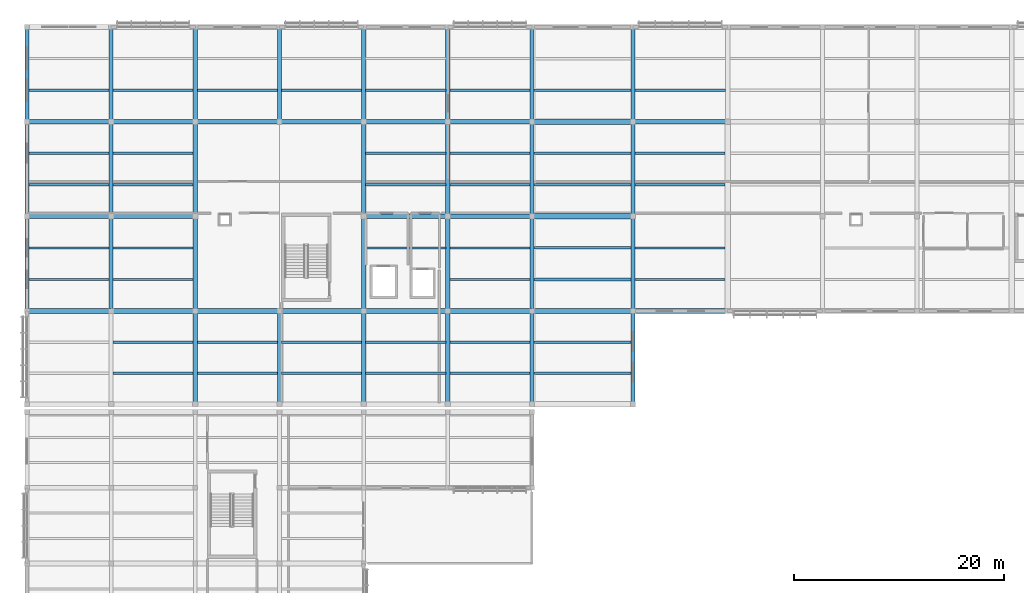
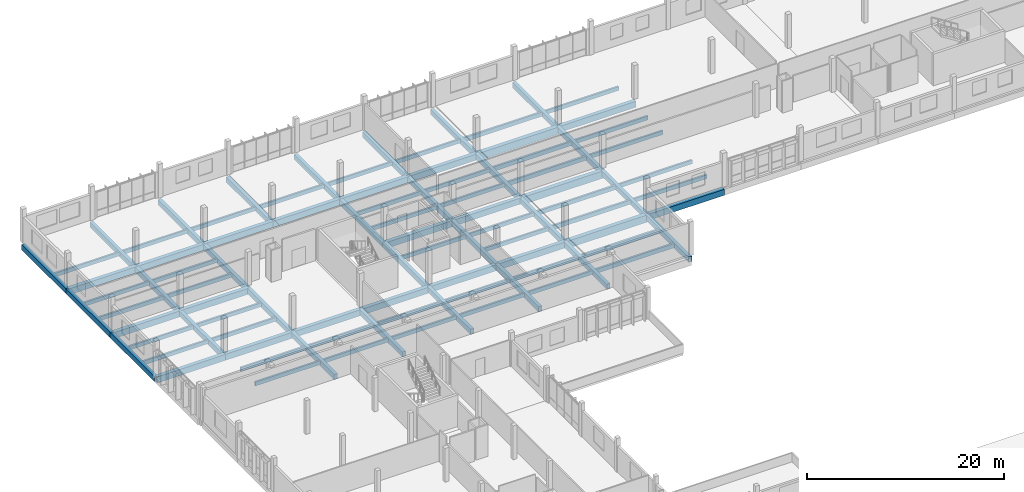
# One storey, part 79 of 182: 92 beams.
"""IFC4 building model written with IfcOpenShell, lengths in metres."""

from ifc_helpers import new_model, si_unit, direction, frame, origin, origin_2d, place, context, subcontext, project, spatial, rectangle, extrude, material, material_profile, profile_set, type_object, element, save


model = new_model("IFC4")

# Units and contexts
model_context = context("Model", 3, precision=1e-05, world=origin(), true_north=direction((0.0, 1.0)))
body_context = subcontext(model_context, "Body", "Model", "MODEL_VIEW")
ifc_project = project(units=[si_unit("LENGTHUNIT", "METRE"), si_unit("AREAUNIT", "SQUARE_METRE"), si_unit("VOLUMEUNIT", "CUBIC_METRE"), si_unit("PLANEANGLEUNIT", "RADIAN"), si_unit("MASSUNIT", "GRAM", prefix="KILO")], contexts=[model_context])

# Site, building, storey
site_placement = place(None, origin())
site = spatial("IfcSite", under=ifc_project, at=site_placement, CompositionType="ELEMENT")
building_placement = place(site_placement, origin())
building = spatial("IfcBuilding", under=site, at=building_placement, Name="Chiffa Square Polytechnic", CompositionType="ELEMENT")
storey_placement = place(building_placement, frame((0.0, 0.0, 9.60009765625)))
storey = spatial("IfcBuildingStorey", under=building, at=storey_placement, Name="L02", CompositionType="ELEMENT", Elevation=9.60009765625)

# Beams
ifc_material_1 = material(Name="Concrete C35/45", Category="concrete")
ifc_material_profile_1 = material_profile(ifc_material_1, rectangle(XDim=0.39990234375, YDim=0.64990234375, at=origin_2d()), Name="RC 400x650")
ifc_profile_set_1 = profile_set([ifc_material_profile_1], Name="Concrete C35/45")
beam_type_1 = type_object("IfcBeamType", Name="BM-RC-400X650", PredefinedType="BEAM", material=ifc_profile_set_1)
for number, where, z_axis, x_axis, name in (
    (1, (0.0, 103.800048828125, -0.64501953125), (0.0, 1.0, 0.0), (-1.0, 0.0, 0.0), "Primary floor girder BM-V5-L02-Y-0000-1038"),
    (2, (0.0, 112.800048828125, -0.64501953125), (0.0, 1.0, 0.0), (-1.0, 0.0, 0.0), "Primary floor girder BM-V5-L02-Y-0000-1128"),
    (3, (0.0, 121.800048828125, -0.64501953125), (0.0, 1.0, 0.0), (-1.0, 0.0, 0.0), "Primary floor girder BM-V5-L02-Y-0000-1218"),
    (4, (8.0, 103.800048828125, -0.64501953125), (0.0, 1.0, 0.0), (-1.0, 0.0, 0.0), "Primary floor girder BM-V5-L02-Y-0080-1038"),
    (5, (8.0, 112.800048828125, -0.64501953125), (0.0, 1.0, 0.0), (-1.0, 0.0, 0.0), "Primary floor girder BM-V5-L02-Y-0080-1128"),
    (6, (8.0, 121.800048828125, -0.64501953125), (0.0, 1.0, 0.0), (-1.0, 0.0, 0.0), "Primary floor girder BM-V5-L02-Y-0080-1218"),
):
    element("IfcBeam", number, at=place(storey_placement, frame(where, z_axis=z_axis, x_axis=x_axis)), inside=storey, type_object=beam_type_1, Name=name, PredefinedType="BEAM", context=body_context, shape_type="SweptSolid", body=[
        extrude(rectangle(XDim=0.39990234375, YDim=0.64990234375, at=origin_2d()), origin(), (0.0, 0.0, 1.0), 9.0),
    ])
beam_1_placement = place(storey_placement, frame((16.0, 94.949951171875, -0.64501953125), z_axis=(0.0, 1.0, 0.0), x_axis=(-1.0, 0.0, 0.0)))
element("IfcBeam", 7, at=beam_1_placement, inside=storey, type_object=beam_type_1, Name="Primary floor girder BM-V5-L02-Y-0160-0950", PredefinedType="BEAM", context=body_context, shape_type="SweptSolid", body=[
    extrude(rectangle(XDim=0.39990234375, YDim=0.64990234375, at=origin_2d()), origin(), (0.0, 0.0, 1.0), 8.85009765625),
])
for number, where, z_axis, x_axis, name in (
    (8, (16.0, 103.800048828125, -0.64501953125), (0.0, 1.0, 0.0), (-1.0, 0.0, 0.0), "Primary floor girder BM-V5-L02-Y-0160-1038"),
    (9, (16.0, 112.800048828125, -0.64501953125), (0.0, 1.0, 0.0), (-1.0, 0.0, 0.0), "Primary floor girder BM-V5-L02-Y-0160-1128"),
    (10, (16.0, 121.800048828125, -0.64501953125), (0.0, 1.0, 0.0), (-1.0, 0.0, 0.0), "Primary floor girder BM-V5-L02-Y-0160-1218"),
):
    element("IfcBeam", number, at=place(storey_placement, frame(where, z_axis=z_axis, x_axis=x_axis)), inside=storey, type_object=beam_type_1, Name=name, PredefinedType="BEAM", context=body_context, shape_type="SweptSolid", body=[
        extrude(rectangle(XDim=0.39990234375, YDim=0.64990234375, at=origin_2d()), origin(), (0.0, 0.0, 1.0), 9.0),
    ])
beam_2_placement = place(storey_placement, frame((24.0, 94.949951171875, -0.64501953125), z_axis=(0.0, 1.0, 0.0), x_axis=(-1.0, 0.0, 0.0)))
element("IfcBeam", 11, at=beam_2_placement, inside=storey, type_object=beam_type_1, Name="Primary floor girder BM-V5-L02-Y-0240-0950", PredefinedType="BEAM", context=body_context, shape_type="SweptSolid", body=[
    extrude(rectangle(XDim=0.39990234375, YDim=0.64990234375, at=origin_2d()), origin(), (0.0, 0.0, 1.0), 8.85009765625),
])
beam_3_placement = place(storey_placement, frame((24.0, 121.800048828125, -0.64501953125), z_axis=(0.0, 1.0, 0.0), x_axis=(-1.0, 0.0, 0.0)))
element("IfcBeam", 12, at=beam_3_placement, inside=storey, type_object=beam_type_1, Name="Primary floor girder BM-V5-L02-Y-0240-1218", PredefinedType="BEAM", context=body_context, shape_type="SweptSolid", body=[
    extrude(rectangle(XDim=0.39990234375, YDim=0.64990234375, at=origin_2d()), origin(), (0.0, 0.0, 1.0), 9.0),
])
beam_4_placement = place(storey_placement, frame((32.0, 94.949951171875, -0.64501953125), z_axis=(0.0, 1.0, 0.0), x_axis=(-1.0, 0.0, 0.0)))
element("IfcBeam", 13, at=beam_4_placement, inside=storey, type_object=beam_type_1, Name="Primary floor girder BM-V5-L02-Y-0320-0950", PredefinedType="BEAM", context=body_context, shape_type="SweptSolid", body=[
    extrude(rectangle(XDim=0.39990234375, YDim=0.64990234375, at=origin_2d()), origin(), (0.0, 0.0, 1.0), 8.85009765625),
])
for number, where, z_axis, x_axis, name in (
    (14, (32.0, 103.800048828125, -0.64501953125), (0.0, 1.0, 0.0), (-1.0, 0.0, 0.0), "Primary floor girder BM-V5-L02-Y-0320-1038"),
    (15, (32.0, 112.800048828125, -0.64501953125), (0.0, 1.0, 0.0), (-1.0, 0.0, 0.0), "Primary floor girder BM-V5-L02-Y-0320-1128"),
    (16, (32.0, 121.800048828125, -0.64501953125), (0.0, 1.0, 0.0), (-1.0, 0.0, 0.0), "Primary floor girder BM-V5-L02-Y-0320-1218"),
):
    element("IfcBeam", number, at=place(storey_placement, frame(where, z_axis=z_axis, x_axis=x_axis)), inside=storey, type_object=beam_type_1, Name=name, PredefinedType="BEAM", context=body_context, shape_type="SweptSolid", body=[
        extrude(rectangle(XDim=0.39990234375, YDim=0.64990234375, at=origin_2d()), origin(), (0.0, 0.0, 1.0), 9.0),
    ])
beam_5_placement = place(storey_placement, frame((40.0, 94.949951171875, -0.64501953125), z_axis=(0.0, 1.0, 0.0), x_axis=(-1.0, 0.0, 0.0)))
element("IfcBeam", 17, at=beam_5_placement, inside=storey, type_object=beam_type_1, Name="Primary floor girder BM-V5-L02-Y-0400-0950", PredefinedType="BEAM", context=body_context, shape_type="SweptSolid", body=[
    extrude(rectangle(XDim=0.39990234375, YDim=0.64990234375, at=origin_2d()), origin(), (0.0, 0.0, 1.0), 8.85009765625),
])
for number, where, z_axis, x_axis, name in (
    (18, (40.0, 103.800048828125, -0.64501953125), (0.0, 1.0, 0.0), (-1.0, 0.0, 0.0), "Primary floor girder BM-V5-L02-Y-0400-1038"),
    (19, (40.0, 112.800048828125, -0.64501953125), (0.0, 1.0, 0.0), (-1.0, 0.0, 0.0), "Primary floor girder BM-V5-L02-Y-0400-1128"),
    (20, (40.0, 121.800048828125, -0.64501953125), (0.0, 1.0, 0.0), (-1.0, 0.0, 0.0), "Primary floor girder BM-V5-L02-Y-0400-1218"),
):
    element("IfcBeam", number, at=place(storey_placement, frame(where, z_axis=z_axis, x_axis=x_axis)), inside=storey, type_object=beam_type_1, Name=name, PredefinedType="BEAM", context=body_context, shape_type="SweptSolid", body=[
        extrude(rectangle(XDim=0.39990234375, YDim=0.64990234375, at=origin_2d()), origin(), (0.0, 0.0, 1.0), 9.0),
    ])
beam_6_placement = place(storey_placement, frame((48.0, 94.949951171875, -0.64501953125), z_axis=(0.0, 1.0, 0.0), x_axis=(-1.0, 0.0, 0.0)))
element("IfcBeam", 21, at=beam_6_placement, inside=storey, type_object=beam_type_1, Name="Primary floor girder BM-V5-L02-Y-0480-0950", PredefinedType="BEAM", context=body_context, shape_type="SweptSolid", body=[
    extrude(rectangle(XDim=0.39990234375, YDim=0.64990234375, at=origin_2d()), origin(), (0.0, 0.0, 1.0), 8.85009765625),
])
for number, where, z_axis, x_axis, name in (
    (22, (48.0, 103.800048828125, -0.64501953125), (0.0, 1.0, 0.0), (-1.0, 0.0, 0.0), "Primary floor girder BM-V5-L02-Y-0480-1038"),
    (23, (48.0, 112.800048828125, -0.64501953125), (0.0, 1.0, 0.0), (-1.0, 0.0, 0.0), "Primary floor girder BM-V5-L02-Y-0480-1128"),
    (24, (48.0, 121.800048828125, -0.64501953125), (0.0, 1.0, 0.0), (-1.0, 0.0, 0.0), "Primary floor girder BM-V5-L02-Y-0480-1218"),
):
    element("IfcBeam", number, at=place(storey_placement, frame(where, z_axis=z_axis, x_axis=x_axis)), inside=storey, type_object=beam_type_1, Name=name, PredefinedType="BEAM", context=body_context, shape_type="SweptSolid", body=[
        extrude(rectangle(XDim=0.39990234375, YDim=0.64990234375, at=origin_2d()), origin(), (0.0, 0.0, 1.0), 9.0),
    ])
beam_7_placement = place(storey_placement, frame((57.60009765625, 94.949951171875, -0.64501953125), z_axis=(0.0, 1.0, 0.0), x_axis=(-1.0, 0.0, 0.0)))
element("IfcBeam", 25, at=beam_7_placement, inside=storey, type_object=beam_type_1, Name="Primary floor girder BM-V5-L02-Y-0576-0950", PredefinedType="BEAM", context=body_context, shape_type="SweptSolid", body=[
    extrude(rectangle(XDim=0.39990234375, YDim=0.64990234375, at=origin_2d()), origin(), (0.0, 0.0, 1.0), 8.85009765625),
])
for number, where, z_axis, x_axis, name in (
    (26, (57.60009765625, 103.800048828125, -0.64501953125), (0.0, 1.0, 0.0), (-1.0, 0.0, 0.0), "Primary floor girder BM-V5-L02-Y-0576-1038"),
    (27, (57.60009765625, 112.800048828125, -0.64501953125), (0.0, 1.0, 0.0), (-1.0, 0.0, 0.0), "Primary floor girder BM-V5-L02-Y-0576-1128"),
    (28, (57.60009765625, 121.800048828125, -0.64501953125), (0.0, 1.0, 0.0), (-1.0, 0.0, 0.0), "Primary floor girder BM-V5-L02-Y-0576-1218"),
):
    element("IfcBeam", number, at=place(storey_placement, frame(where, z_axis=z_axis, x_axis=x_axis)), inside=storey, type_object=beam_type_1, Name=name, PredefinedType="BEAM", context=body_context, shape_type="SweptSolid", body=[
        extrude(rectangle(XDim=0.39990234375, YDim=0.64990234375, at=origin_2d()), origin(), (0.0, 0.0, 1.0), 9.0),
    ])
ifc_material_profile_2 = material_profile(ifc_material_1, rectangle(XDim=0.449951171875, YDim=0.75, at=origin_2d()), Name="RC 450x750")
ifc_profile_set_2 = profile_set([ifc_material_profile_2], Name="Concrete C35/45")
beam_type_2 = type_object("IfcBeamType", Name="BM-RC-450X750", PredefinedType="BEAM", material=ifc_profile_set_2)
for number, where, z_axis, x_axis, name in (
    (29, (0.0, 103.800048828125, -0.695068359375), (1.0, 0.0, 0.0), (0.0, 1.0, 0.0), "Primary floor girder BM-V5-L02-X-0000-1038"),
    (30, (8.0, 103.800048828125, -0.695068359375), (1.0, 0.0, 0.0), (0.0, 1.0, 0.0), "Primary floor girder BM-V5-L02-X-0080-1038"),
    (31, (16.0, 103.800048828125, -0.695068359375), (1.0, 0.0, 0.0), (0.0, 1.0, 0.0), "Primary floor girder BM-V5-L02-X-0160-1038"),
    (32, (24.0, 103.800048828125, -0.695068359375), (1.0, 0.0, 0.0), (0.0, 1.0, 0.0), "Primary floor girder BM-V5-L02-X-0240-1038"),
    (33, (32.0, 103.800048828125, -0.695068359375), (1.0, 0.0, 0.0), (0.0, 1.0, 0.0), "Primary floor girder BM-V5-L02-X-0320-1038"),
    (34, (40.0, 103.800048828125, -0.695068359375), (1.0, 0.0, 0.0), (0.0, 1.0, 0.0), "Primary floor girder BM-V5-L02-X-0400-1038"),
):
    element("IfcBeam", number, at=place(storey_placement, frame(where, z_axis=z_axis, x_axis=x_axis)), inside=storey, type_object=beam_type_2, Name=name, PredefinedType="BEAM", context=body_context, shape_type="SweptSolid", body=[
        extrude(rectangle(XDim=0.449951171875, YDim=0.75, at=origin_2d()), origin(), (0.0, 0.0, 1.0), 8.0),
    ])
beam_8_placement = place(storey_placement, frame((57.60009765625, 103.800048828125, -0.695068359375), z_axis=(1.0, 0.0, 0.0), x_axis=(0.0, 1.0, 0.0)))
element("IfcBeam", 35, at=beam_8_placement, inside=storey, type_object=beam_type_2, Name="Primary floor girder BM-V5-L02-X-0576-1038", PredefinedType="BEAM", context=body_context, shape_type="SweptSolid", body=[
    extrude(rectangle(XDim=0.449951171875, YDim=0.75, at=origin_2d()), origin(), (0.0, 0.0, 1.0), 9.0),
])
for number, where, z_axis, x_axis, name in (
    (36, (0.0, 112.800048828125, -0.695068359375), (1.0, 0.0, 0.0), (0.0, 1.0, 0.0), "Primary floor girder BM-V5-L02-X-0000-1128"),
    (37, (8.0, 112.800048828125, -0.695068359375), (1.0, 0.0, 0.0), (0.0, 1.0, 0.0), "Primary floor girder BM-V5-L02-X-0080-1128"),
    (38, (32.0, 112.800048828125, -0.695068359375), (1.0, 0.0, 0.0), (0.0, 1.0, 0.0), "Primary floor girder BM-V5-L02-X-0320-1128"),
    (39, (40.0, 112.800048828125, -0.695068359375), (1.0, 0.0, 0.0), (0.0, 1.0, 0.0), "Primary floor girder BM-V5-L02-X-0400-1128"),
    (40, (0.0, 121.800048828125, -0.695068359375), (1.0, 0.0, 0.0), (0.0, 1.0, 0.0), "Primary floor girder BM-V5-L02-X-0000-1218"),
    (41, (8.0, 121.800048828125, -0.695068359375), (1.0, 0.0, 0.0), (0.0, 1.0, 0.0), "Primary floor girder BM-V5-L02-X-0080-1218"),
    (42, (16.0, 121.800048828125, -0.695068359375), (1.0, 0.0, 0.0), (0.0, 1.0, 0.0), "Primary floor girder BM-V5-L02-X-0160-1218"),
    (43, (24.0, 121.800048828125, -0.695068359375), (1.0, 0.0, 0.0), (0.0, 1.0, 0.0), "Primary floor girder BM-V5-L02-X-0240-1218"),
    (44, (32.0, 121.800048828125, -0.695068359375), (1.0, 0.0, 0.0), (0.0, 1.0, 0.0), "Primary floor girder BM-V5-L02-X-0320-1218"),
    (45, (40.0, 121.800048828125, -0.695068359375), (1.0, 0.0, 0.0), (0.0, 1.0, 0.0), "Primary floor girder BM-V5-L02-X-0400-1218"),
):
    element("IfcBeam", number, at=place(storey_placement, frame(where, z_axis=z_axis, x_axis=x_axis)), inside=storey, type_object=beam_type_2, Name=name, PredefinedType="BEAM", context=body_context, shape_type="SweptSolid", body=[
        extrude(rectangle(XDim=0.449951171875, YDim=0.75, at=origin_2d()), origin(), (0.0, 0.0, 1.0), 8.0),
    ])
beam_9_placement = place(storey_placement, frame((57.60009765625, 121.800048828125, -0.695068359375), z_axis=(1.0, 0.0, 0.0), x_axis=(0.0, 1.0, 0.0)))
element("IfcBeam", 46, at=beam_9_placement, inside=storey, type_object=beam_type_2, Name="Primary floor girder BM-V5-L02-X-0576-1218", PredefinedType="BEAM", context=body_context, shape_type="SweptSolid", body=[
    extrude(rectangle(XDim=0.449951171875, YDim=0.75, at=origin_2d()), origin(), (0.0, 0.0, 1.0), 9.0),
])
ifc_material_2 = material(Name="Concrete C40/50", Category="concrete")
ifc_material_profile_3 = material_profile(ifc_material_2, rectangle(XDim=0.5, YDim=0.89990234375, at=origin_2d()), Name="RC 500x900")
ifc_profile_set_3 = profile_set([ifc_material_profile_3], Name="Concrete C40/50")
beam_type_3 = type_object("IfcBeamType", Name="BM-RC-500X900", PredefinedType="BEAM", material=ifc_profile_set_3)
for number, where, z_axis, x_axis, name in (
    (47, (48.0, 103.800048828125, -0.77001953125), (1.0, 0.0, 0.0), (0.0, 1.0, 0.0), "Primary floor girder BM-V5-L02-X-0480-1038"),
    (48, (48.0, 112.800048828125, -0.77001953125), (1.0, 0.0, 0.0), (0.0, 1.0, 0.0), "Primary floor girder BM-V5-L02-X-0480-1128"),
    (49, (48.0, 121.800048828125, -0.77001953125), (1.0, 0.0, 0.0), (0.0, 1.0, 0.0), "Primary floor girder BM-V5-L02-X-0480-1218"),
):
    element("IfcBeam", number, at=place(storey_placement, frame(where, z_axis=z_axis, x_axis=x_axis)), inside=storey, type_object=beam_type_3, Name=name, PredefinedType="BEAM", context=body_context, shape_type="SweptSolid", body=[
        extrude(rectangle(XDim=0.5, YDim=0.89990234375, at=origin_2d()), origin(), (0.0, 0.0, 1.0), 9.60009765625),
    ])
ifc_material_3 = material(Name="Glulam GL28h", Category="wood")
ifc_material_profile_4 = material_profile(ifc_material_3, rectangle(XDim=0.219970703125, YDim=0.47998046875, at=origin_2d()), Name="GL28h 220x480")
ifc_profile_set_4 = profile_set([ifc_material_profile_4], Name="Glulam GL28h")
beam_type_4 = type_object("IfcBeamType", Name="JST-GL-220X480", PredefinedType="JOIST", material=ifc_profile_set_4)
for number, where, z_axis, x_axis, name in (
    (50, (0.197998046875, 106.800048828125, -0.56005859375), (1.0, 0.0, 0.0), (0.0, 1.0, 0.0), "Secondary floor joist JST-V5-L02-0000-1068"),
    (51, (0.197998046875, 109.800048828125, -0.56005859375), (1.0, 0.0, 0.0), (0.0, 1.0, 0.0), "Secondary floor joist JST-V5-L02-0000-1098"),
    (52, (0.197998046875, 115.800048828125, -0.56005859375), (1.0, 0.0, 0.0), (0.0, 1.0, 0.0), "Secondary floor joist JST-V5-L02-0000-1158"),
    (53, (0.197998046875, 118.800048828125, -0.56005859375), (1.0, 0.0, 0.0), (0.0, 1.0, 0.0), "Secondary floor joist JST-V5-L02-0000-1188"),
    (54, (0.197998046875, 124.800048828125, -0.56005859375), (1.0, 0.0, 0.0), (0.0, 1.0, 0.0), "Secondary floor joist JST-V5-L02-0000-1248"),
    (55, (8.197998046875, 97.89990234375, -0.56005859375), (1.0, 0.0, 0.0), (0.0, 1.0, 0.0), "Secondary floor joist JST-V5-L02-0080-0979"),
    (56, (8.197998046875, 100.85009765625, -0.56005859375), (1.0, 0.0, 0.0), (0.0, 1.0, 0.0), "Secondary floor joist JST-V5-L02-0080-1008"),
    (57, (8.197998046875, 106.800048828125, -0.56005859375), (1.0, 0.0, 0.0), (0.0, 1.0, 0.0), "Secondary floor joist JST-V5-L02-0080-1068"),
    (58, (8.197998046875, 109.800048828125, -0.56005859375), (1.0, 0.0, 0.0), (0.0, 1.0, 0.0), "Secondary floor joist JST-V5-L02-0080-1098"),
    (59, (8.197998046875, 115.800048828125, -0.56005859375), (1.0, 0.0, 0.0), (0.0, 1.0, 0.0), "Secondary floor joist JST-V5-L02-0080-1158"),
    (60, (8.197998046875, 118.800048828125, -0.56005859375), (1.0, 0.0, 0.0), (0.0, 1.0, 0.0), "Secondary floor joist JST-V5-L02-0080-1188"),
    (61, (8.197998046875, 124.800048828125, -0.56005859375), (1.0, 0.0, 0.0), (0.0, 1.0, 0.0), "Secondary floor joist JST-V5-L02-0080-1248"),
    (62, (16.197998046875, 97.89990234375, -0.56005859375), (1.0, 0.0, 0.0), (0.0, 1.0, 0.0), "Secondary floor joist JST-V5-L02-0160-0979"),
    (63, (16.197998046875, 100.85009765625, -0.56005859375), (1.0, 0.0, 0.0), (0.0, 1.0, 0.0), "Secondary floor joist JST-V5-L02-0160-1008"),
    (64, (16.197998046875, 124.800048828125, -0.56005859375), (1.0, 0.0, 0.0), (0.0, 1.0, 0.0), "Secondary floor joist JST-V5-L02-0160-1248"),
    (65, (24.197998046875, 97.89990234375, -0.56005859375), (1.0, 0.0, 0.0), (0.0, 1.0, 0.0), "Secondary floor joist JST-V5-L02-0240-0979"),
    (66, (24.197998046875, 100.85009765625, -0.56005859375), (1.0, 0.0, 0.0), (0.0, 1.0, 0.0), "Secondary floor joist JST-V5-L02-0240-1008"),
    (67, (24.197998046875, 124.800048828125, -0.56005859375), (1.0, 0.0, 0.0), (0.0, 1.0, 0.0), "Secondary floor joist JST-V5-L02-0240-1248"),
    (68, (32.197998046875, 97.89990234375, -0.56005859375), (1.0, 0.0, 0.0), (0.0, 1.0, 0.0), "Secondary floor joist JST-V5-L02-0320-0979"),
    (69, (32.197998046875, 100.85009765625, -0.56005859375), (1.0, 0.0, 0.0), (0.0, 1.0, 0.0), "Secondary floor joist JST-V5-L02-0320-1008"),
    (70, (32.197998046875, 109.800048828125, -0.56005859375), (1.0, 0.0, 0.0), (0.0, 1.0, 0.0), "Secondary floor joist JST-V5-L02-0320-1098"),
    (71, (32.197998046875, 115.800048828125, -0.56005859375), (1.0, 0.0, 0.0), (0.0, 1.0, 0.0), "Secondary floor joist JST-V5-L02-0320-1158"),
    (72, (32.197998046875, 118.800048828125, -0.56005859375), (1.0, 0.0, 0.0), (0.0, 1.0, 0.0), "Secondary floor joist JST-V5-L02-0320-1188"),
    (73, (32.197998046875, 124.800048828125, -0.56005859375), (1.0, 0.0, 0.0), (0.0, 1.0, 0.0), "Secondary floor joist JST-V5-L02-0320-1248"),
    (74, (40.197998046875, 97.89990234375, -0.56005859375), (1.0, 0.0, 0.0), (0.0, 1.0, 0.0), "Secondary floor joist JST-V5-L02-0400-0979"),
    (75, (40.197998046875, 100.85009765625, -0.56005859375), (1.0, 0.0, 0.0), (0.0, 1.0, 0.0), "Secondary floor joist JST-V5-L02-0400-1008"),
    (76, (40.197998046875, 106.800048828125, -0.56005859375), (1.0, 0.0, 0.0), (0.0, 1.0, 0.0), "Secondary floor joist JST-V5-L02-0400-1068"),
    (77, (40.197998046875, 109.800048828125, -0.56005859375), (1.0, 0.0, 0.0), (0.0, 1.0, 0.0), "Secondary floor joist JST-V5-L02-0400-1098"),
    (78, (40.197998046875, 115.800048828125, -0.56005859375), (1.0, 0.0, 0.0), (0.0, 1.0, 0.0), "Secondary floor joist JST-V5-L02-0400-1158"),
    (79, (40.197998046875, 118.800048828125, -0.56005859375), (1.0, 0.0, 0.0), (0.0, 1.0, 0.0), "Secondary floor joist JST-V5-L02-0400-1188"),
    (80, (40.197998046875, 124.800048828125, -0.56005859375), (1.0, 0.0, 0.0), (0.0, 1.0, 0.0), "Secondary floor joist JST-V5-L02-0400-1248"),
):
    element("IfcBeam", number, at=place(storey_placement, frame(where, z_axis=z_axis, x_axis=x_axis)), inside=storey, type_object=beam_type_4, Name=name, PredefinedType="JOIST", context=body_context, shape_type="SweptSolid", body=[
        extrude(rectangle(XDim=0.219970703125, YDim=0.47998046875, at=origin_2d()), origin(), (0.0, 0.0, 1.0), 7.60400390625),
    ])
for number, where, z_axis, x_axis, name in (
    (81, (57.798095703125, 106.800048828125, -0.56005859375), (1.0, 0.0, 0.0), (0.0, 1.0, 0.0), "Secondary floor joist JST-V5-L02-0576-1068"),
    (82, (57.798095703125, 109.800048828125, -0.56005859375), (1.0, 0.0, 0.0), (0.0, 1.0, 0.0), "Secondary floor joist JST-V5-L02-0576-1098"),
    (83, (57.798095703125, 115.800048828125, -0.56005859375), (1.0, 0.0, 0.0), (0.0, 1.0, 0.0), "Secondary floor joist JST-V5-L02-0576-1158"),
    (84, (57.798095703125, 118.800048828125, -0.56005859375), (1.0, 0.0, 0.0), (0.0, 1.0, 0.0), "Secondary floor joist JST-V5-L02-0576-1188"),
):
    element("IfcBeam", number, at=place(storey_placement, frame(where, z_axis=z_axis, x_axis=x_axis)), inside=storey, type_object=beam_type_4, Name=name, PredefinedType="JOIST", context=body_context, shape_type="SweptSolid", body=[
        extrude(rectangle(XDim=0.219970703125, YDim=0.47998046875, at=origin_2d()), origin(), (0.0, 0.0, 1.0), 8.553955078125),
    ])
beam_10_placement = place(storey_placement, frame((57.798095703125, 124.800048828125, -0.56005859375), z_axis=(1.0, 0.0, 0.0), x_axis=(0.0, 1.0, 0.0)))
element("IfcBeam", 85, at=beam_10_placement, inside=storey, type_object=beam_type_4, Name="Secondary floor joist JST-V5-L02-0576-1248", PredefinedType="JOIST", context=body_context, shape_type="SweptSolid", body=[
    extrude(rectangle(XDim=0.219970703125, YDim=0.47998046875, at=origin_2d()), origin(), (0.0, 0.0, 1.0), 8.60400390625),
])
ifc_material_profile_5 = material_profile(ifc_material_3, rectangle(XDim=0.239990234375, YDim=0.52001953125, at=origin_2d()), Name="GL28h 240x520")
ifc_profile_set_5 = profile_set([ifc_material_profile_5], Name="Glulam GL28h")
beam_type_5 = type_object("IfcBeamType", Name="JST-GL-240X520", PredefinedType="JOIST", material=ifc_profile_set_5)
for number, where, z_axis, x_axis, name in (
    (86, (48.197998046875, 97.89990234375, -0.580078125), (1.0, 0.0, 0.0), (0.0, 1.0, 0.0), "Secondary floor joist JST-V5-L02-0480-0979"),
    (87, (48.197998046875, 100.85009765625, -0.580078125), (1.0, 0.0, 0.0), (0.0, 1.0, 0.0), "Secondary floor joist JST-V5-L02-0480-1008"),
    (88, (48.197998046875, 106.800048828125, -0.580078125), (1.0, 0.0, 0.0), (0.0, 1.0, 0.0), "Secondary floor joist JST-V5-L02-0480-1068"),
    (89, (48.197998046875, 109.800048828125, -0.580078125), (1.0, 0.0, 0.0), (0.0, 1.0, 0.0), "Secondary floor joist JST-V5-L02-0480-1098"),
    (90, (48.197998046875, 115.800048828125, -0.580078125), (1.0, 0.0, 0.0), (0.0, 1.0, 0.0), "Secondary floor joist JST-V5-L02-0480-1158"),
    (91, (48.197998046875, 118.800048828125, -0.580078125), (1.0, 0.0, 0.0), (0.0, 1.0, 0.0), "Secondary floor joist JST-V5-L02-0480-1188"),
    (92, (48.197998046875, 124.800048828125, -0.580078125), (1.0, 0.0, 0.0), (0.0, 1.0, 0.0), "Secondary floor joist JST-V5-L02-0480-1248"),
):
    element("IfcBeam", number, at=place(storey_placement, frame(where, z_axis=z_axis, x_axis=x_axis)), inside=storey, type_object=beam_type_5, Name=name, PredefinedType="JOIST", context=body_context, shape_type="SweptSolid", body=[
        extrude(rectangle(XDim=0.239990234375, YDim=0.52001953125, at=origin_2d()), origin(), (0.0, 0.0, 1.0), 9.2041015625),
    ])

save(model, "model.ifc")
